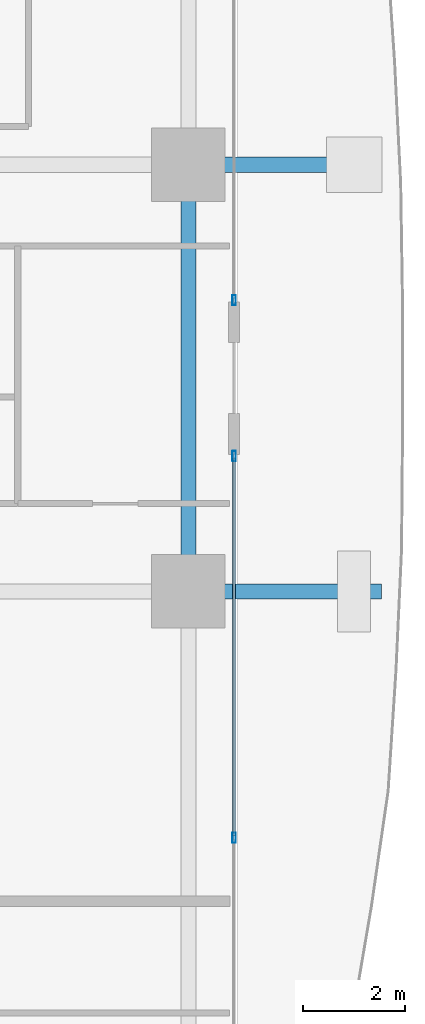
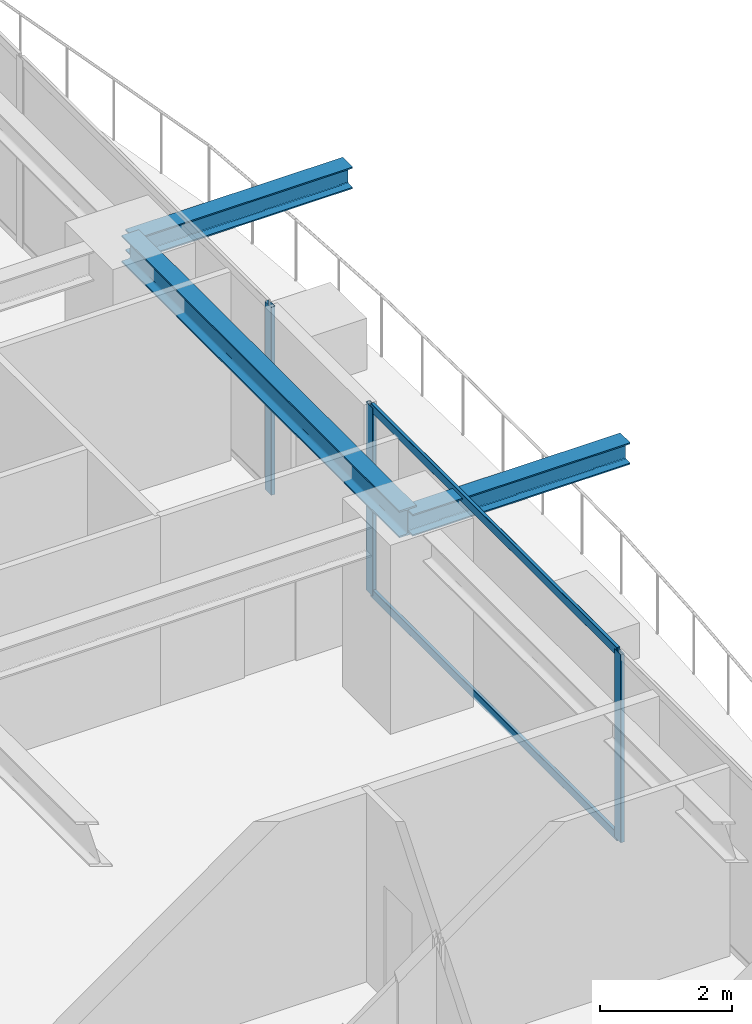
# One storey, part 14 of 38: 5 members, 3 beams, 2 elements without a shape of their own.
"""IFC4 building model written with IfcOpenShell, lengths in metres."""

import ifcopenshell
import ifcopenshell.guid

model = None  # the IFC model being written
_history = None  # IfcOwnerHistory: only IFC2X3 demands one
_inside = {}  # id of a spatial element -> (the spatial element, [elements in it])
_under = {}  # id of a project, library or spatial element -> (it, [spatial elements below it])
_declared = {}  # id of a project -> (the project, [libraries it declares])
_typed = {}  # id of a type object -> (the type object, [elements of that type])
_made_of = {}  # id of a material, layer set ... -> (it, [elements and type objects made of it])


def new_model(schema):
    """Start an empty IFC model of exactly this schema.

    Asked for "IFC4X3", IfcOpenShell would pick the latest addendum, in which some entities
    have other attributes; the version numbers below select the first issue.
    IFC2X3 requires an IfcOwnerHistory on every rooted entity: one is made here for all.
    """
    global model, _history
    if schema == "IFC4X3":
        model = ifcopenshell.file(schema_version=(4, 3, 0, 0))
    else:
        model = ifcopenshell.file(schema=schema)
    _inside.clear()
    _under.clear()
    _declared.clear()
    _typed.clear()
    _made_of.clear()
    _history = None
    if model.schema == "IFC2X3":
        org = make("IfcOrganization", Name="unknown")
        user = make(
            "IfcPersonAndOrganization",
            ThePerson=make("IfcPerson", FamilyName="unknown"),
            TheOrganization=org,
        )
        app = make(
            "IfcApplication",
            ApplicationDeveloper=org,
            Version="unknown",
            ApplicationFullName="unknown",
            ApplicationIdentifier="unknown",
        )
        _history = make(
            "IfcOwnerHistory",
            OwningUser=user,
            OwningApplication=app,
            ChangeAction="ADDED",
            CreationDate=0,
        )
    return model


def make(cls, **values):
    """One entity of the class cls with the attributes given. An attribute that is None is left unset."""
    return model.create_entity(
        cls, **{name: value for name, value in values.items() if value is not None}
    )


def rooted(cls, **values):
    """An entity with a GlobalId (a new one), such as an element, a storey or a relation."""
    return make(cls, GlobalId=ifcopenshell.guid.new(), OwnerHistory=_history, **values)


def si_unit(unit_type, name, prefix=None):
    """IfcSIUnit, for example si_unit("LENGTHUNIT", "METRE", prefix="MILLI")."""
    return make("IfcSIUnit", UnitType=unit_type, Prefix=prefix, Name=name)


def assignment(units):
    """IfcUnitAssignment: the units of a project."""
    return None if units is None else make("IfcUnitAssignment", Units=units)


def point(xyz):
    """IfcCartesianPoint."""
    return None if xyz is None else make("IfcCartesianPoint", Coordinates=xyz)


def direction(xyz):
    """IfcDirection."""
    return None if xyz is None else make("IfcDirection", DirectionRatios=xyz)


def frame(location, z_axis=None, x_axis=None):
    """IfcAxis2Placement3D, a coordinate frame: its origin and axes. An axis left out is left unset."""
    return make(
        "IfcAxis2Placement3D",
        Location=point(location),
        Axis=direction(z_axis),
        RefDirection=direction(x_axis),
    )


def frame_2d(location, x_axis=None):
    """IfcAxis2Placement2D, a coordinate frame in the plane: its origin and x axis."""
    return make(
        "IfcAxis2Placement2D", Location=point(location), RefDirection=direction(x_axis)
    )


def origin():
    """The frame at (0, 0, 0) with its axes left unset."""
    return frame((0.0, 0.0, 0.0))


def origin_2d():
    """The frame at (0, 0) in the plane with its x axis left unset."""
    return frame_2d((0.0, 0.0))


def place(relative_to, where):
    """IfcLocalPlacement: puts the frame where relative to a parent placement (None: the world)."""
    return make(
        "IfcLocalPlacement", PlacementRelTo=relative_to, RelativePlacement=where
    )


def context(
    kind, dimensions, precision=None, world=None, true_north=None, identifier=None
):
    """IfcGeometricRepresentationContext, for example the 3D "Model" context."""
    return make(
        "IfcGeometricRepresentationContext",
        ContextIdentifier=identifier,
        ContextType=kind,
        CoordinateSpaceDimension=dimensions,
        Precision=precision,
        WorldCoordinateSystem=world,
        TrueNorth=true_north,
    )


def subcontext(parent, identifier, kind, view, scale=None):
    """IfcGeometricRepresentationSubContext, for example "Body" below "Model"."""
    return make(
        "IfcGeometricRepresentationSubContext",
        ContextIdentifier=identifier,
        ContextType=kind,
        ParentContext=parent,
        TargetScale=scale,
        TargetView=view,
    )


def project(units=None, contexts=None):
    """IfcProject with its units and contexts."""
    return rooted(
        "IfcProject",
        Name="project",
        RepresentationContexts=contexts,
        UnitsInContext=assignment(units),
    )


def spatial(cls, under=None, at=None, **own):
    """A site, building, storey or space (cls), placed at a placement, below another one or the project."""
    s = rooted(cls, ObjectPlacement=at, **own)
    if under is not None:
        _under.setdefault(under.id(), (under, []))[1].append(s)
    return s


def profile(cls, at=None, kind="AREA", **sizes):
    """A parametric profile (cls). Its sizes go by their IFC names, for example OverallWidth=200.0."""
    return make(cls, ProfileType=kind, Position=at, **sizes)


def hollow_rectangle(**sizes):
    """IfcRectangleHollowProfileDef."""
    return profile("IfcRectangleHollowProfileDef", **sizes)


def i_section(**sizes):
    """IfcIShapeProfileDef."""
    return profile("IfcIShapeProfileDef", **sizes)


def extrude(swept, where, along, depth):
    """IfcExtrudedAreaSolid: the profile swept, set in the frame where, extruded along a direction by depth."""
    return make(
        "IfcExtrudedAreaSolid",
        SweptArea=swept,
        Position=where,
        ExtrudedDirection=direction(along),
        Depth=depth,
    )


def shape(context_of_items, identifier, shape_type, items):
    """IfcShapeRepresentation: the items that make up one representation, for example the "Body"."""
    return make(
        "IfcShapeRepresentation",
        ContextOfItems=context_of_items,
        RepresentationIdentifier=identifier,
        RepresentationType=shape_type,
        Items=items,
    )


def source(mapping_origin, context_of_items, identifier, shape_type, items):
    """IfcRepresentationMap: a shape defined once, which mapped items show again and again."""
    return make(
        "IfcRepresentationMap",
        MappingOrigin=mapping_origin,
        MappedRepresentation=shape(context_of_items, identifier, shape_type, items),
    )


def transform(
    local_origin,
    x_axis=None,
    y_axis=None,
    z_axis=None,
    scale=None,
    scale2=None,
    scale3=None,
    uniform=True,
):
    """IfcCartesianTransformationOperator3D, or its non-uniform kind. x_axis, y_axis, z_axis: its Axis1, 2, 3."""
    if uniform:
        return make(
            "IfcCartesianTransformationOperator3D",
            Axis1=direction(x_axis),
            Axis2=direction(y_axis),
            LocalOrigin=point(local_origin),
            Scale=scale,
            Axis3=direction(z_axis),
        )
    return make(
        "IfcCartesianTransformationOperator3DnonUniform",
        Axis1=direction(x_axis),
        Axis2=direction(y_axis),
        LocalOrigin=point(local_origin),
        Scale=scale,
        Axis3=direction(z_axis),
        Scale2=scale2,
        Scale3=scale3,
    )


def mapped(mapping_source, mapping_target):
    """IfcMappedItem: shows the shape of a source again, moved by a transform."""
    return make(
        "IfcMappedItem", MappingSource=mapping_source, MappingTarget=mapping_target
    )


def material(Name=None, Category=None):
    """IfcMaterial."""
    return make("IfcMaterial", Name=Name, Category=Category)


def layer(
    of_material, thickness, ventilated=None, Name=None, Category=None, Priority=None
):
    """IfcMaterialLayer: one layer of a wall or slab, of a material (None: an air gap)."""
    return make(
        "IfcMaterialLayer",
        Material=of_material,
        LayerThickness=thickness,
        IsVentilated=ventilated,
        Name=Name,
        Category=Category,
        Priority=Priority,
    )


def layer_set(layers, Name=None):
    """IfcMaterialLayerSet."""
    return make("IfcMaterialLayerSet", MaterialLayers=layers, LayerSetName=Name)


def material_profile(
    of_material, cross_section, Name=None, Category=None, Priority=None
):
    """IfcMaterialProfile: a cross section and its material."""
    return make(
        "IfcMaterialProfile",
        Name=Name,
        Material=of_material,
        Profile=cross_section,
        Priority=Priority,
        Category=Category,
    )


def profile_set(profiles, Name=None, composite=None):
    """IfcMaterialProfileSet."""
    return make(
        "IfcMaterialProfileSet",
        Name=Name,
        MaterialProfiles=profiles,
        CompositeProfile=composite,
    )


def made_of(thing, what):
    """Note that an element or type object is made of a material, layer set ...; save() writes the relation."""
    if what is not None:
        _made_of.setdefault(what.id(), (what, []))[1].append(thing)
    return thing


def type_object(cls, material=None, **own):
    """A type object (cls), such as IfcWallType, which elements share."""
    return made_of(rooted(cls, **own), material)


def element(
    cls,
    number,
    at=None,
    inside=None,
    cuts=None,
    type_object=None,
    material=None,
    context=None,
    identifier="Body",
    shape_type=None,
    held_by="IfcProductDefinitionShape",
    body=None,
    shapes=None,
    **own,
):
    """One element of the class cls, such as IfcWall. Its Tag is "e" and its number.

    at: its placement. inside: the storey or other place that contains it. cuts: it is an
    opening in that element (IfcRelVoidsElement). A single representation is given by context,
    identifier, shape_type and body (its items); several are given by shapes. held_by: the class
    of the entity that holds the representations. save() writes the other relations.
    """
    e = rooted(cls, Tag="e%d" % number, ObjectPlacement=at, **own)
    if body is not None:
        shapes = [shape(context, identifier, shape_type, body)]
    if shapes is not None:
        e.Representation = make(held_by, Representations=shapes)
    if inside is not None:
        _inside.setdefault(inside.id(), (inside, []))[1].append(e)
    if cuts is not None:
        rooted(
            "IfcRelVoidsElement", RelatingBuildingElement=cuts, RelatedOpeningElement=e
        )
    if type_object is not None:
        _typed.setdefault(type_object.id(), (type_object, []))[1].append(e)
    return made_of(e, material)


def aggregate(whole, parts):
    """IfcRelAggregates: a whole, such as a stair, and the parts it consists of."""
    return rooted("IfcRelAggregates", RelatingObject=whole, RelatedObjects=parts)


def save(model, path):
    """Write the relations noted so far, then the file.

    IfcRelAggregates (storeys below a building ...), IfcRelContainedInSpatialStructure (elements
    in a storey), IfcRelDefinesByType, IfcRelAssociatesMaterial and IfcRelDeclares: one each for
    every whole, place, type object, material and project.
    """
    for whole, parts in _under.values():
        aggregate(whole, parts)
    for where, things in _inside.values():
        rooted(
            "IfcRelContainedInSpatialStructure",
            RelatedElements=things,
            RelatingStructure=where,
        )
    for kind, things in _typed.values():
        rooted("IfcRelDefinesByType", RelatedObjects=things, RelatingType=kind)
    for what, things in _made_of.values():
        rooted("IfcRelAssociatesMaterial", RelatedObjects=things, RelatingMaterial=what)
    for by, libraries in _declared.values():
        rooted("IfcRelDeclares", RelatingContext=by, RelatedDefinitions=libraries)
    model.write(path)


model = new_model("IFC4")

# Units and contexts
model_context = context("Model", 3, precision=1e-05, world=origin(), true_north=direction((0.0, 1.0)))
body_context = subcontext(model_context, "Body", "Model", "MODEL_VIEW")
ifc_project = project(units=[si_unit("LENGTHUNIT", "METRE"), si_unit("AREAUNIT", "SQUARE_METRE"), si_unit("VOLUMEUNIT", "CUBIC_METRE"), si_unit("PLANEANGLEUNIT", "RADIAN"), si_unit("MASSUNIT", "GRAM", prefix="KILO")], contexts=[model_context])

# Site, building, storey
site_placement = place(None, origin())
site = spatial("IfcSite", under=ifc_project, at=site_placement, CompositionType="ELEMENT")
building_placement = place(site_placement, origin())
building = spatial("IfcBuilding", under=site, at=building_placement, Name="Serunith Strait Residences", CompositionType="ELEMENT")
storey_placement = place(building_placement, frame((0.0, 0.0, 30.449951171875)))
storey = spatial("IfcBuildingStorey", under=building, at=storey_placement, Name="L06", CompositionType="ELEMENT", Elevation=30.449951171875)

# Beams
ifc_material_1 = material(Name="Steel S355J2", Category="steel")
ifc_material_profile_1 = material_profile(ifc_material_1, i_section(OverallWidth=0.300048828125, OverallDepth=0.5, WebThickness=0.014404296875, FlangeThickness=0.028076171875, FilletRadius=0.027099609375, at=origin_2d()), Name="HEB 500")
ifc_profile_set_1 = profile_set([ifc_material_profile_1], Name="Steel S355J2")
beam_type_1 = type_object("IfcBeamType", Name="BM-HEB500", PredefinedType="BEAM", material=ifc_profile_set_1)
shared_shape_1 = source(origin(), body_context, "Body", "SweptSolid", [
    extrude(i_section(OverallWidth=0.300048828125, OverallDepth=0.5, WebThickness=0.014404296875, FlangeThickness=0.028076171875, FilletRadius=0.027099609375, at=origin_2d()), origin(), (0.0, 0.0, 1.0), 8.39990234375),
])
beam_placement = place(storey_placement, frame((57.89990234375, 21.0, 3.237060546875), z_axis=(0.0, 1.0, 0.0), x_axis=(-1.0, 0.0, 0.0)))
element("IfcBeam", 1, at=beam_placement, inside=storey, type_object=beam_type_1, Name="L06 Perimeter Ring Beam 06", PredefinedType="BEAM", context=body_context, shape_type="MappedRepresentation", body=[
    mapped(shared_shape_1, transform((0.0, 0.0, 0.0), scale=1.0)),
])
ifc_material_profile_2 = material_profile(ifc_material_1, i_section(OverallWidth=0.300048828125, OverallDepth=0.39990234375, WebThickness=0.013427734375, FlangeThickness=0.02392578125, FilletRadius=0.027099609375, at=origin_2d()), Name="HEB 400")
ifc_profile_set_2 = profile_set([ifc_material_profile_2], Name="Steel S355J2")
beam_type_2 = type_object("IfcBeamType", Name="BM-HEB400", PredefinedType="BEAM", material=ifc_profile_set_2)
shared_shape_2 = source(origin(), body_context, "Body", "SweptSolid", [
    extrude(i_section(OverallWidth=0.300048828125, OverallDepth=0.39990234375, WebThickness=0.013427734375, FlangeThickness=0.02392578125, FilletRadius=0.027099609375, at=origin_2d()), origin(), (0.0, 0.0, 1.0), 3.800048828125),
])
for number, where, z_axis, x_axis, name in (
    (2, (57.89990234375, 21.0, 3.257080078125), (1.0, 0.0, 0.0), (0.0, 1.0, 0.0), "L07 Cantilevered Balcony Rib TC-E2"),
    (3, (57.89990234375, 29.39990234375, 3.257080078125), (1.0, 0.0, 0.0), (0.0, 1.0, 0.0), "L07 Cantilevered Balcony Rib TC-E3"),
):
    element("IfcBeam", number, at=place(storey_placement, frame(where, z_axis=z_axis, x_axis=x_axis)), inside=storey, type_object=beam_type_2, Name=name, PredefinedType="BEAM", context=body_context, shape_type="MappedRepresentation", body=[
        mapped(shared_shape_2, transform((0.0, 0.0, 0.0), scale=1.0)),
    ])

# Curtain wall, members
ifc_material_2 = material(Name="Pale-Champagne Anodised Aluminium", Category="aluminium")
ifc_layer = layer(ifc_material_2, 0.199951171875, Name="Pale-Champagne Anodised Aluminium")
ifc_layer_set = layer_set([ifc_layer], Name="Pale-Champagne Anodised Aluminium")
curtain_wall_type = type_object("IfcCurtainWallType", Name="CW-SYS1", PredefinedType="NOTDEFINED", material=ifc_layer_set)
curtain_wall_1_placement = place(storey_placement, origin())
curtain_wall_1 = element("IfcCurtainWall", 4, at=curtain_wall_1_placement, inside=storey, type_object=curtain_wall_type, Name="L06 E Unitised Fritted Curtain Wall", PredefinedType="NOTDEFINED")
ifc_material_profile_3 = material_profile(ifc_material_2, hollow_rectangle(XDim=0.070068359375, YDim=0.199951171875, WallThickness=0.00390625, InnerFilletRadius=0.006103515625, OuterFilletRadius=0.010009765625, at=origin_2d()), Name="ALU 200x70x4")
ifc_profile_set_3 = profile_set([ifc_material_profile_3], Name="Pale-Champagne Anodised Aluminium")
member_type_1 = type_object("IfcMemberType", Name="CW-SYS1-MULL", PredefinedType="MULLION", material=ifc_profile_set_3)
shared_shape_3 = source(origin(), body_context, "Body", "SweptSolid", [
    extrude(hollow_rectangle(XDim=0.070068359375, YDim=0.199951171875, WallThickness=0.00390625, InnerFilletRadius=0.006103515625, OuterFilletRadius=0.010009765625, at=origin_2d()), origin(), (0.0, 0.0, 1.0), 3.47509765625),
])
member_1_placement = place(storey_placement, frame((58.800048828125, 16.14990234375, 0.0), z_axis=(0.0, 0.0, 1.0), x_axis=(-1.0, 0.0, 0.0)))
member_1 = element("IfcMember", 5, at=member_1_placement, type_object=member_type_1, Name="CW-1 mullion 2", PredefinedType="MULLION", context=body_context, shape_type="MappedRepresentation", body=[
    mapped(shared_shape_3, transform((0.0, 0.0, 0.0), scale=1.0)),
])
member_2_placement = place(storey_placement, frame((58.800048828125, 23.6650390625, 0.0), z_axis=(0.0, 0.0, 1.0), x_axis=(-1.0, 0.0, 0.0)))
member_2 = element("IfcMember", 6, at=member_2_placement, type_object=member_type_1, Name="CW-1 mullion 3", PredefinedType="MULLION", context=body_context, shape_type="MappedRepresentation", body=[
    mapped(shared_shape_3, transform((0.0, 0.0, 0.0), scale=1.0)),
])

# Curtain wall, member
curtain_wall_2_placement = place(storey_placement, origin())
curtain_wall_2 = element("IfcCurtainWall", 7, at=curtain_wall_2_placement, inside=storey, type_object=curtain_wall_type, Name="L06 E Unitised Fritted Curtain Wall", PredefinedType="NOTDEFINED")
member_3_placement = place(storey_placement, frame((58.800048828125, 26.735107421875, 0.0), z_axis=(0.0, 0.0, 1.0), x_axis=(-1.0, 0.0, 0.0)))
member_3 = element("IfcMember", 8, at=member_3_placement, type_object=member_type_1, Name="CW-1 mullion 1", PredefinedType="MULLION", context=body_context, shape_type="MappedRepresentation", body=[
    mapped(shared_shape_3, transform((0.0, 0.0, 0.0), scale=1.0)),
])
aggregate(curtain_wall_2, [member_3])

# Member
ifc_material_profile_4 = material_profile(ifc_material_2, hollow_rectangle(XDim=0.06005859375, YDim=0.159912109375, WallThickness=0.00341796875, InnerFilletRadius=0.00537109375, OuterFilletRadius=0.0087890625, at=origin_2d()), Name="ALU 160x60x3.5")
ifc_profile_set_4 = profile_set([ifc_material_profile_4], Name="Pale-Champagne Anodised Aluminium")
member_type_2 = type_object("IfcMemberType", Name="CW-SYS1-TRAN", PredefinedType="USERDEFINED", material=ifc_profile_set_4)
shared_shape_4 = source(origin(), body_context, "Body", "SweptSolid", [
    extrude(hollow_rectangle(XDim=0.06005859375, YDim=0.159912109375, WallThickness=0.00341796875, InnerFilletRadius=0.00537109375, OuterFilletRadius=0.0087890625, at=origin_2d()), origin(), (0.0, 0.0, 1.0), 7.44482421875),
])
member_4_placement = place(storey_placement, frame((58.800048828125, 16.18505859375, 0.030029296875), z_axis=(0.0, 1.0, 0.0), x_axis=(-1.0, 0.0, 0.0)))
member_4 = element("IfcMember", 9, at=member_4_placement, type_object=member_type_2, Name="CW-1 transom 2.1", ObjectType="TRANSOM", PredefinedType="USERDEFINED", context=body_context, shape_type="MappedRepresentation", body=[
    mapped(shared_shape_4, transform((0.0, 0.0, 0.0), scale=1.0)),
])

member_5_placement = place(storey_placement, frame((58.800048828125, 16.18505859375, 3.445068359375), z_axis=(0.0, 1.0, 0.0), x_axis=(-1.0, 0.0, 0.0)))
member_5 = element("IfcMember", 10, at=member_5_placement, type_object=member_type_2, Name="CW-1 transom 2.2", ObjectType="TRANSOM", PredefinedType="USERDEFINED", context=body_context, shape_type="MappedRepresentation", body=[
    mapped(shared_shape_4, transform((0.0, 0.0, 0.0), scale=1.0)),
])

aggregate(curtain_wall_1, [member_1, member_2, member_4, member_5])

save(model, "model.ifc")
